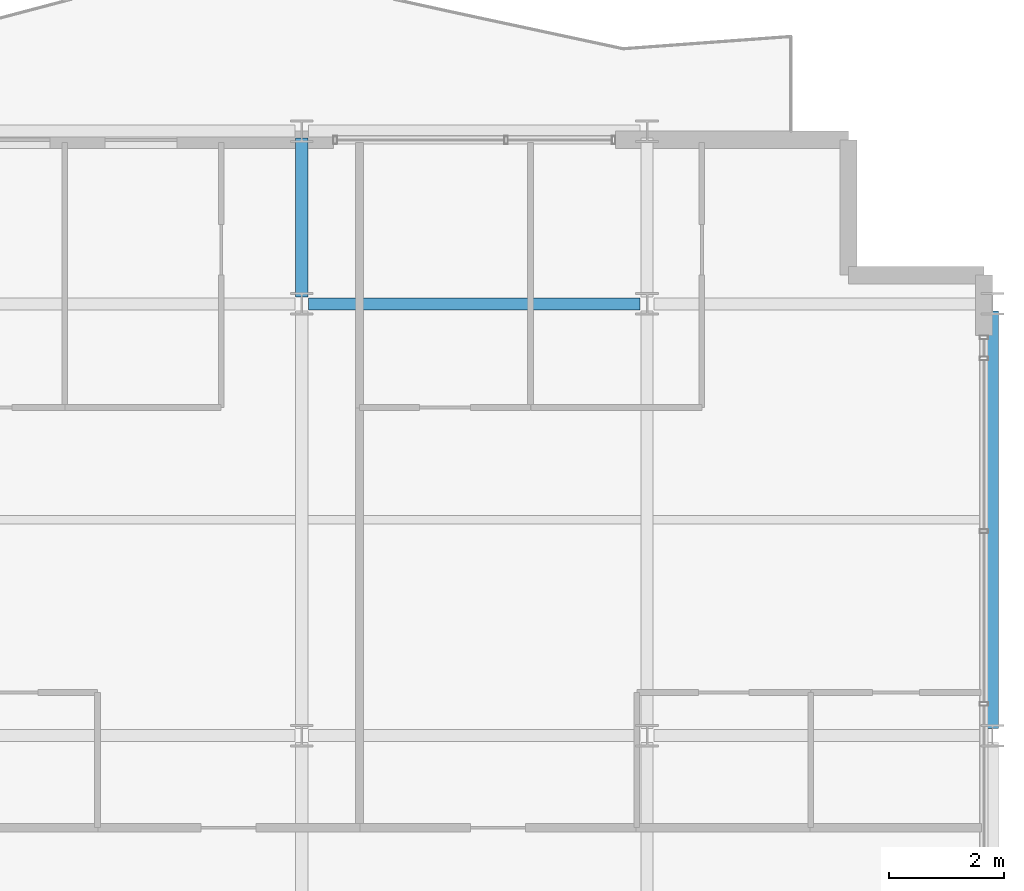
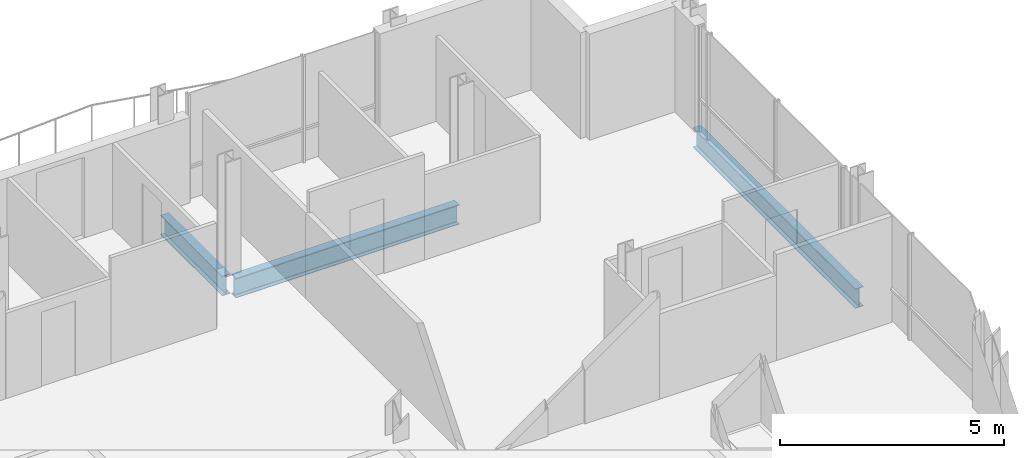
# One storey, part 17 of 33: 3 beams.
"""IFC4 building model written with IfcOpenShell, lengths in metres."""

from ifc_helpers import new_model, si_unit, direction, frame, origin, origin_2d, place, context, subcontext, project, spatial, i_section, extrude, material, material_profile, profile_set, type_object, element, save


model = new_model("IFC4")

# Units and contexts
model_context = context("Model", 3, precision=1e-05, world=origin(), true_north=direction((0.0, 1.0)))
body_context = subcontext(model_context, "Body", "Model", "MODEL_VIEW")
ifc_project = project(units=[si_unit("LENGTHUNIT", "METRE"), si_unit("AREAUNIT", "SQUARE_METRE"), si_unit("VOLUMEUNIT", "CUBIC_METRE"), si_unit("PLANEANGLEUNIT", "RADIAN"), si_unit("MASSUNIT", "GRAM", prefix="KILO")], contexts=[model_context])

# Site, building, storey
site_placement = place(None, origin())
site = spatial("IfcSite", under=ifc_project, at=site_placement, CompositionType="ELEMENT")
building_placement = place(site_placement, origin())
building = spatial("IfcBuilding", under=site, at=building_placement, Name="Brevholm Reach", CompositionType="ELEMENT")
storey_placement = place(building_placement, frame((0.0, 0.0, 189.39990234375)))
storey = spatial("IfcBuildingStorey", under=building, at=storey_placement, Name="L57", CompositionType="ELEMENT", Elevation=189.39990234375)

# Beams
ifc_material_1 = material(Name="Structural Steel S355J2", Category="steel")
ifc_material_profile_1 = material_profile(ifc_material_1, i_section(OverallWidth=0.209228515625, OverallDepth=0.533203125, WebThickness=0.010009765625, FlangeThickness=0.015625, FilletRadius=0.0126953125, at=origin_2d()), Name="UKB 533x210x92")
ifc_profile_set_1 = profile_set([ifc_material_profile_1], Name="Structural Steel S355J2")
beam_type_1 = type_object("IfcBeamType", Name="BM-SP533", PredefinedType="SPANDREL", material=ifc_profile_set_1)
beam_1_placement = place(storey_placement, frame((60.0, 16.1201171875, -0.4765625), z_axis=(0.0, 1.0, 0.0), x_axis=(-1.0, 0.0, 0.0)))
element("IfcBeam", 1, at=beam_1_placement, inside=storey, type_object=beam_type_1, Name="L57 SP-02 Framing Beam", PredefinedType="SPANDREL", context=body_context, shape_type="SweptSolid", body=[
    extrude(i_section(OverallWidth=0.209228515625, OverallDepth=0.533203125, WebThickness=0.010009765625, FlangeThickness=0.015625, FilletRadius=0.0126953125, at=origin_2d()), origin(), (0.0, 0.0, 1.0), 7.259765625),
])
ifc_material_2 = material(Name="Structural Steel S355J2", Category="steel")
ifc_material_profile_2 = material_profile(ifc_material_2, i_section(OverallWidth=0.210693359375, OverallDepth=0.53955078125, WebThickness=0.01171875, FlangeThickness=0.018798828125, FilletRadius=0.0126953125, at=origin_2d()), Name="UKB 533x210x109")
ifc_profile_set_2 = profile_set([ifc_material_profile_2], Name="Structural Steel S355J2")
beam_type_2 = type_object("IfcBeamType", Name="BM-SP539", PredefinedType="SPANDREL", material=ifc_profile_set_2)
beam_2_placement = place(storey_placement, frame((48.1201171875, 23.5, -0.479736328125), z_axis=(1.0, 0.0, 0.0), x_axis=(0.0, 1.0, 0.0)))
element("IfcBeam", 2, at=beam_2_placement, inside=storey, type_object=beam_type_2, Name="L57 SP-01B Framing Beam", PredefinedType="SPANDREL", context=body_context, shape_type="SweptSolid", body=[
    extrude(i_section(OverallWidth=0.210693359375, OverallDepth=0.53955078125, WebThickness=0.01171875, FlangeThickness=0.018798828125, FilletRadius=0.0126953125, at=origin_2d()), origin(), (0.0, 0.0, 1.0), 5.759765625),
])
beam_3_placement = place(storey_placement, frame((48.0, 23.6201171875, -0.479736328125), z_axis=(0.0, 1.0, 0.0), x_axis=(-1.0, 0.0, 0.0)))
element("IfcBeam", 3, at=beam_3_placement, inside=storey, type_object=beam_type_2, Name="L57 SP-01B Framing Beam", PredefinedType="SPANDREL", context=body_context, shape_type="SweptSolid", body=[
    extrude(i_section(OverallWidth=0.210693359375, OverallDepth=0.53955078125, WebThickness=0.01171875, FlangeThickness=0.018798828125, FilletRadius=0.0126953125, at=origin_2d()), origin(), (0.0, 0.0, 1.0), 2.759765625),
])

save(model, "model.ifc")
